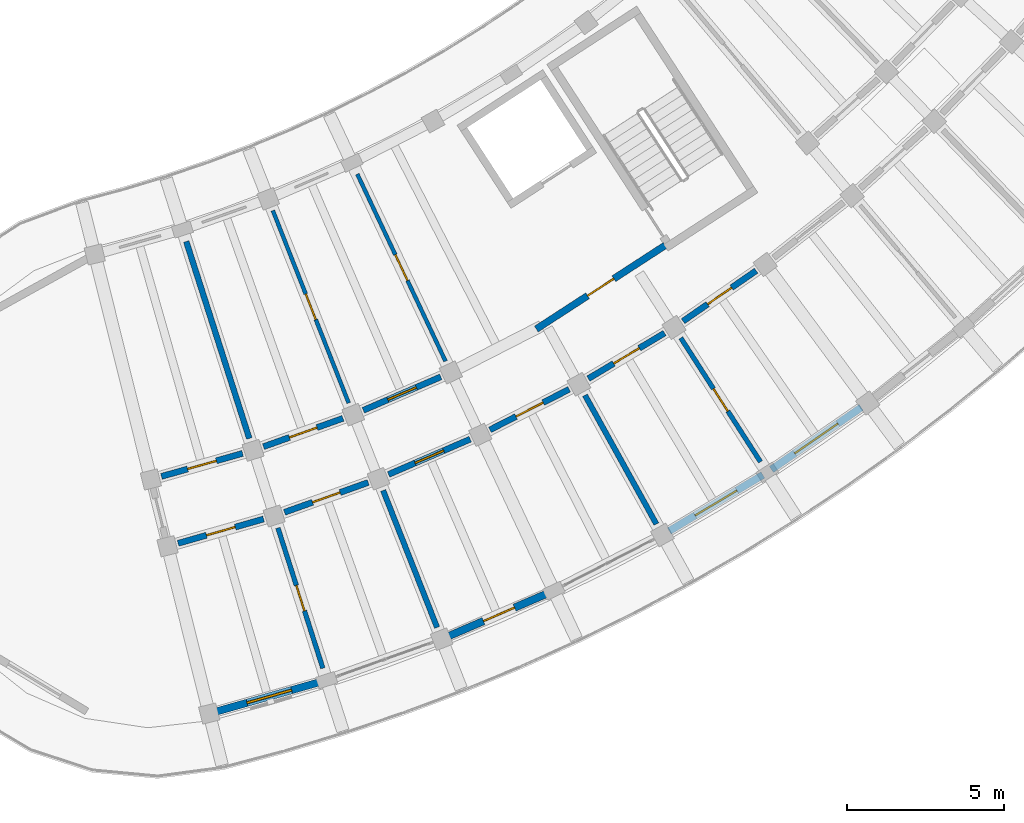
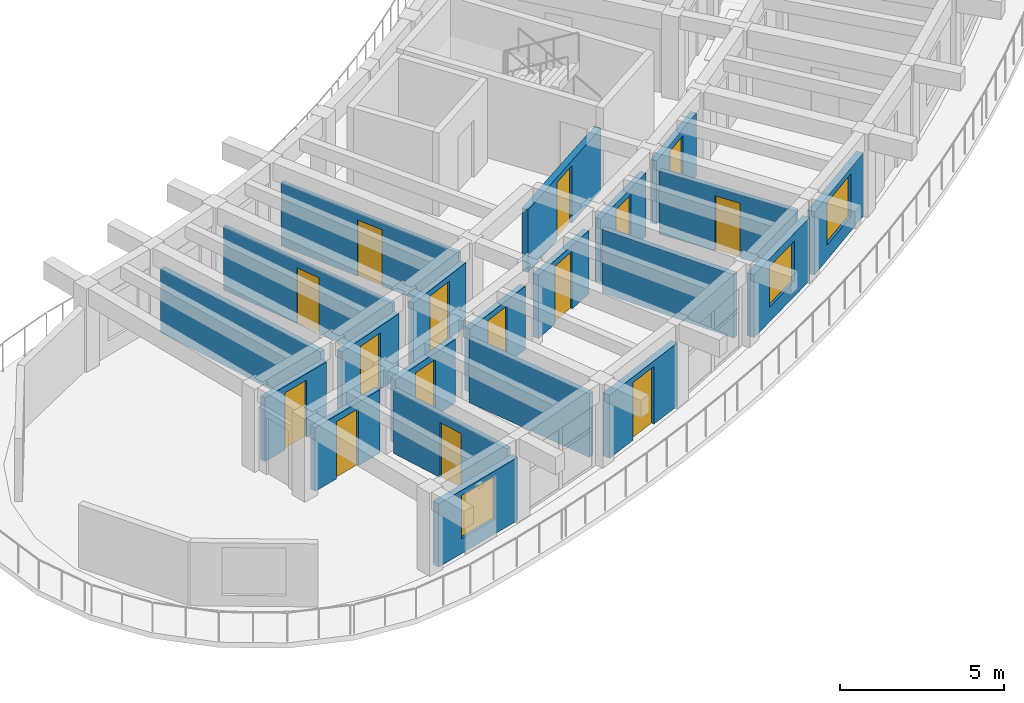
# One storey, part 66 of 96: 21 walls, 15 doors, 3 windows, 18 openings.
"""IFC4 building model written with IfcOpenShell, lengths in metres."""

import ifcopenshell
import ifcopenshell.guid

model = None  # the IFC model being written
_history = None  # IfcOwnerHistory: only IFC2X3 demands one
_inside = {}  # id of a spatial element -> (the spatial element, [elements in it])
_under = {}  # id of a project, library or spatial element -> (it, [spatial elements below it])
_declared = {}  # id of a project -> (the project, [libraries it declares])
_typed = {}  # id of a type object -> (the type object, [elements of that type])
_made_of = {}  # id of a material, layer set ... -> (it, [elements and type objects made of it])


def new_model(schema):
    """Start an empty IFC model of exactly this schema.

    Asked for "IFC4X3", IfcOpenShell would pick the latest addendum, in which some entities
    have other attributes; the version numbers below select the first issue.
    IFC2X3 requires an IfcOwnerHistory on every rooted entity: one is made here for all.
    """
    global model, _history
    if schema == "IFC4X3":
        model = ifcopenshell.file(schema_version=(4, 3, 0, 0))
    else:
        model = ifcopenshell.file(schema=schema)
    _inside.clear()
    _under.clear()
    _declared.clear()
    _typed.clear()
    _made_of.clear()
    _history = None
    if model.schema == "IFC2X3":
        org = make("IfcOrganization", Name="unknown")
        user = make(
            "IfcPersonAndOrganization",
            ThePerson=make("IfcPerson", FamilyName="unknown"),
            TheOrganization=org,
        )
        app = make(
            "IfcApplication",
            ApplicationDeveloper=org,
            Version="unknown",
            ApplicationFullName="unknown",
            ApplicationIdentifier="unknown",
        )
        _history = make(
            "IfcOwnerHistory",
            OwningUser=user,
            OwningApplication=app,
            ChangeAction="ADDED",
            CreationDate=0,
        )
    return model


def make(cls, **values):
    """One entity of the class cls with the attributes given. An attribute that is None is left unset."""
    return model.create_entity(
        cls, **{name: value for name, value in values.items() if value is not None}
    )


def rooted(cls, **values):
    """An entity with a GlobalId (a new one), such as an element, a storey or a relation."""
    return make(cls, GlobalId=ifcopenshell.guid.new(), OwnerHistory=_history, **values)


def si_unit(unit_type, name, prefix=None):
    """IfcSIUnit, for example si_unit("LENGTHUNIT", "METRE", prefix="MILLI")."""
    return make("IfcSIUnit", UnitType=unit_type, Prefix=prefix, Name=name)


def assignment(units):
    """IfcUnitAssignment: the units of a project."""
    return None if units is None else make("IfcUnitAssignment", Units=units)


def point(xyz):
    """IfcCartesianPoint."""
    return None if xyz is None else make("IfcCartesianPoint", Coordinates=xyz)


def direction(xyz):
    """IfcDirection."""
    return None if xyz is None else make("IfcDirection", DirectionRatios=xyz)


def frame(location, z_axis=None, x_axis=None):
    """IfcAxis2Placement3D, a coordinate frame: its origin and axes. An axis left out is left unset."""
    return make(
        "IfcAxis2Placement3D",
        Location=point(location),
        Axis=direction(z_axis),
        RefDirection=direction(x_axis),
    )


def frame_2d(location, x_axis=None):
    """IfcAxis2Placement2D, a coordinate frame in the plane: its origin and x axis."""
    return make(
        "IfcAxis2Placement2D", Location=point(location), RefDirection=direction(x_axis)
    )


def origin():
    """The frame at (0, 0, 0) with its axes left unset."""
    return frame((0.0, 0.0, 0.0))


def place(relative_to, where):
    """IfcLocalPlacement: puts the frame where relative to a parent placement (None: the world)."""
    return make(
        "IfcLocalPlacement", PlacementRelTo=relative_to, RelativePlacement=where
    )


def context(
    kind, dimensions, precision=None, world=None, true_north=None, identifier=None
):
    """IfcGeometricRepresentationContext, for example the 3D "Model" context."""
    return make(
        "IfcGeometricRepresentationContext",
        ContextIdentifier=identifier,
        ContextType=kind,
        CoordinateSpaceDimension=dimensions,
        Precision=precision,
        WorldCoordinateSystem=world,
        TrueNorth=true_north,
    )


def subcontext(parent, identifier, kind, view, scale=None):
    """IfcGeometricRepresentationSubContext, for example "Body" below "Model"."""
    return make(
        "IfcGeometricRepresentationSubContext",
        ContextIdentifier=identifier,
        ContextType=kind,
        ParentContext=parent,
        TargetScale=scale,
        TargetView=view,
    )


def project(units=None, contexts=None):
    """IfcProject with its units and contexts."""
    return rooted(
        "IfcProject",
        Name="project",
        RepresentationContexts=contexts,
        UnitsInContext=assignment(units),
    )


def spatial(cls, under=None, at=None, **own):
    """A site, building, storey or space (cls), placed at a placement, below another one or the project."""
    s = rooted(cls, ObjectPlacement=at, **own)
    if under is not None:
        _under.setdefault(under.id(), (under, []))[1].append(s)
    return s


def profile(cls, at=None, kind="AREA", **sizes):
    """A parametric profile (cls). Its sizes go by their IFC names, for example OverallWidth=200.0."""
    return make(cls, ProfileType=kind, Position=at, **sizes)


def rectangle(**sizes):
    """IfcRectangleProfileDef."""
    return profile("IfcRectangleProfileDef", **sizes)


def extrude(swept, where, along, depth):
    """IfcExtrudedAreaSolid: the profile swept, set in the frame where, extruded along a direction by depth."""
    return make(
        "IfcExtrudedAreaSolid",
        SweptArea=swept,
        Position=where,
        ExtrudedDirection=direction(along),
        Depth=depth,
    )


def shape(context_of_items, identifier, shape_type, items):
    """IfcShapeRepresentation: the items that make up one representation, for example the "Body"."""
    return make(
        "IfcShapeRepresentation",
        ContextOfItems=context_of_items,
        RepresentationIdentifier=identifier,
        RepresentationType=shape_type,
        Items=items,
    )


def material(Name=None, Category=None):
    """IfcMaterial."""
    return make("IfcMaterial", Name=Name, Category=Category)


def layer(
    of_material, thickness, ventilated=None, Name=None, Category=None, Priority=None
):
    """IfcMaterialLayer: one layer of a wall or slab, of a material (None: an air gap)."""
    return make(
        "IfcMaterialLayer",
        Material=of_material,
        LayerThickness=thickness,
        IsVentilated=ventilated,
        Name=Name,
        Category=Category,
        Priority=Priority,
    )


def layer_set(layers, Name=None):
    """IfcMaterialLayerSet."""
    return make("IfcMaterialLayerSet", MaterialLayers=layers, LayerSetName=Name)


def made_of(thing, what):
    """Note that an element or type object is made of a material, layer set ...; save() writes the relation."""
    if what is not None:
        _made_of.setdefault(what.id(), (what, []))[1].append(thing)
    return thing


def type_object(cls, material=None, **own):
    """A type object (cls), such as IfcWallType, which elements share."""
    return made_of(rooted(cls, **own), material)


def element(
    cls,
    number,
    at=None,
    inside=None,
    cuts=None,
    type_object=None,
    material=None,
    context=None,
    identifier="Body",
    shape_type=None,
    held_by="IfcProductDefinitionShape",
    body=None,
    shapes=None,
    **own,
):
    """One element of the class cls, such as IfcWall. Its Tag is "e" and its number.

    at: its placement. inside: the storey or other place that contains it. cuts: it is an
    opening in that element (IfcRelVoidsElement). A single representation is given by context,
    identifier, shape_type and body (its items); several are given by shapes. held_by: the class
    of the entity that holds the representations. save() writes the other relations.
    """
    e = rooted(cls, Tag="e%d" % number, ObjectPlacement=at, **own)
    if body is not None:
        shapes = [shape(context, identifier, shape_type, body)]
    if shapes is not None:
        e.Representation = make(held_by, Representations=shapes)
    if inside is not None:
        _inside.setdefault(inside.id(), (inside, []))[1].append(e)
    if cuts is not None:
        rooted(
            "IfcRelVoidsElement", RelatingBuildingElement=cuts, RelatedOpeningElement=e
        )
    if type_object is not None:
        _typed.setdefault(type_object.id(), (type_object, []))[1].append(e)
    return made_of(e, material)


def fill(opening, filler):
    """IfcRelFillsElement: the door or window that sits in an opening."""
    return rooted(
        "IfcRelFillsElement",
        RelatingOpeningElement=opening,
        RelatedBuildingElement=filler,
    )


def aggregate(whole, parts):
    """IfcRelAggregates: a whole, such as a stair, and the parts it consists of."""
    return rooted("IfcRelAggregates", RelatingObject=whole, RelatedObjects=parts)


def save(model, path):
    """Write the relations noted so far, then the file.

    IfcRelAggregates (storeys below a building ...), IfcRelContainedInSpatialStructure (elements
    in a storey), IfcRelDefinesByType, IfcRelAssociatesMaterial and IfcRelDeclares: one each for
    every whole, place, type object, material and project.
    """
    for whole, parts in _under.values():
        aggregate(whole, parts)
    for where, things in _inside.values():
        rooted(
            "IfcRelContainedInSpatialStructure",
            RelatedElements=things,
            RelatingStructure=where,
        )
    for kind, things in _typed.values():
        rooted("IfcRelDefinesByType", RelatedObjects=things, RelatingType=kind)
    for what, things in _made_of.values():
        rooted("IfcRelAssociatesMaterial", RelatedObjects=things, RelatingMaterial=what)
    for by, libraries in _declared.values():
        rooted("IfcRelDeclares", RelatingContext=by, RelatedDefinitions=libraries)
    model.write(path)


model = new_model("IFC4")

# Units and contexts
model_context = context("Model", 3, precision=1e-05, world=origin(), true_north=direction((0.0, 1.0)))
body_context = subcontext(model_context, "Body", "Model", "MODEL_VIEW")
ifc_project = project(units=[si_unit("LENGTHUNIT", "METRE"), si_unit("AREAUNIT", "SQUARE_METRE"), si_unit("VOLUMEUNIT", "CUBIC_METRE"), si_unit("PLANEANGLEUNIT", "RADIAN"), si_unit("MASSUNIT", "GRAM", prefix="KILO")], contexts=[model_context])

# Site, building, storey
site_placement = place(None, origin())
site = spatial("IfcSite", under=ifc_project, at=site_placement, CompositionType="ELEMENT")
building_placement = place(site_placement, origin())
building = spatial("IfcBuilding", under=site, at=building_placement, Name="Tanwirah Colonnade Gardens", CompositionType="ELEMENT")
storey_placement = place(building_placement, frame((0.0, 0.0, 12.199951171875)))
storey = spatial("IfcBuildingStorey", under=building, at=storey_placement, Name="L03", CompositionType="ELEMENT", Elevation=12.199951171875)

# Wall, opening, window
ifc_material_1 = material(Name="Limestone architectural precast concrete C40/50", Category="masonry")
ifc_layer_1 = layer(ifc_material_1, 0.239990234375)
ifc_layer_set_1 = layer_set([ifc_layer_1], Name="Limestone architectural precast concrete C40/50")
wall_type_1 = type_object("IfcWallType", Name="EW-PC240", PredefinedType="SOLIDWALL", material=ifc_layer_set_1)
wall_1_placement = place(storey_placement, frame((135.64697265625, 6.787353515625, 0.0), z_axis=(0.0, 0.0, 1.0), x_axis=(0.961871954212, 0.2735001713, 0.0)))
wall_1 = element("IfcWall", 1, at=wall_1_placement, inside=storey, type_object=wall_type_1, Name="Block D L03 OUT Precast Facade Wall 0", PredefinedType="SOLIDWALL", context=body_context, shape_type="SweptSolid", body=[
    extrude(rectangle(XDim=3.48681640625, YDim=0.239990234375, at=frame_2d((1.743408203125, 0.0))), origin(), (0.0, 0.0, 1.0), 2.35498046875),
])
opening_1_placement = place(wall_1_placement, frame((1.00341796875, 0.0, 0.550048828125)))
opening_1 = element("IfcOpeningElement", 2, at=opening_1_placement, cuts=wall_1, Name="Opening WIN-T19", PredefinedType="OPENING", context=body_context, shape_type="SweptSolid", body=[
    extrude(rectangle(XDim=1.47998046875, YDim=1.6201171875, at=frame_2d((0.739990234375, 0.81005859375))), frame((0.0, 0.1298828125, 0.0), z_axis=(0.0, -1.0, 0.0), x_axis=(1.0, 0.0, 0.0)), (0.0, 0.0, 1.0), 0.260009765625),
])
ifc_material_2 = material(Name="Thermally broken bronze aluminium and solar low-E double glazing", Category="aluminium")
window_type_1 = type_object("IfcWindowType", Name="WIN-T19", PartitioningType="DOUBLE_PANEL_VERTICAL", PredefinedType="WINDOW", material=ifc_material_2)
window_1_placement = place(opening_1_placement, origin())
window_1 = element("IfcWindow", 3, at=window_1_placement, inside=storey, type_object=window_type_1, Name="Facade window D-L03-OUT-00", OverallHeight=1.6201171875, OverallWidth=1.47998046875, PartitioningType="SINGLE_PANEL", PredefinedType="WINDOW", context=body_context, shape_type="SweptSolid", body=[
    extrude(rectangle(XDim=1.47998046875, YDim=1.6201171875, at=frame_2d((0.739990234375, 0.81005859375))), frame((0.0, 0.030029296875, 0.0), z_axis=(0.0, -1.0, 0.0), x_axis=(1.0, 0.0, 0.0)), (0.0, 0.0, 1.0), 0.06005859375),
])
fill(opening_1, window_1)

# Wall, opening, door
wall_2_placement = place(storey_placement, frame((143.0546875, 9.19287109375, 0.0), z_axis=(0.0, 0.0, 1.0), x_axis=(0.917938367037, 0.396723019652, 0.0)))
wall_2 = element("IfcWall", 4, at=wall_2_placement, inside=storey, type_object=wall_type_1, Name="Block D L03 OUT Precast Facade Wall 2", PredefinedType="SOLIDWALL", context=body_context, shape_type="SweptSolid", body=[
    extrude(rectangle(XDim=3.48681640625, YDim=0.239990234375, at=frame_2d((1.743408203125, 0.0))), origin(), (0.0, 0.0, 1.0), 2.35498046875),
])
opening_2_placement = place(wall_2_placement, frame((1.203369140625, 0.0, 0.0)))
opening_2 = element("IfcOpeningElement", 5, at=opening_2_placement, cuts=wall_2, Name="Opening L03-ED187", PredefinedType="OPENING", context=body_context, shape_type="SweptSolid", body=[
    extrude(rectangle(XDim=1.080078125, YDim=2.14990234375, at=frame_2d((0.5400390625, 1.074951171875))), frame((0.0, 0.1298828125, 0.0), z_axis=(0.0, -1.0, 0.0), x_axis=(1.0, 0.0, 0.0)), (0.0, 0.0, 1.0), 0.260009765625),
])
ifc_material_3 = material(Name="Bronze aluminium glazed balcony door", Category="aluminium")
door_type_1 = type_object("IfcDoorType", Name="ED-BAL108", OperationType="NOTDEFINED", PredefinedType="DOOR", material=ifc_material_3)
door_1_placement = place(opening_2_placement, origin())
door_1 = element("IfcDoor", 6, at=door_1_placement, inside=storey, type_object=door_type_1, Name="Balcony glazed door L03-ED187", OperationType="SINGLE_SWING_RIGHT", OverallHeight=2.14990234375, OverallWidth=1.080078125, PredefinedType="DOOR", context=body_context, shape_type="SweptSolid", body=[
    extrude(rectangle(XDim=1.080078125, YDim=2.14990234375, at=frame_2d((0.5400390625, 1.074951171875))), frame((0.0, 0.02490234375, 0.0), z_axis=(0.0, -1.0, 0.0), x_axis=(1.0, 0.0, 0.0)), (0.0, 0.0, 1.0), 0.050048828125),
])
fill(opening_2, door_1)

# Wall, opening, window
wall_3_placement = place(storey_placement, frame((150.0849609375, 12.544677734375, 0.0), z_axis=(0.0, 0.0, 1.0), x_axis=(0.858288874148, 0.513166842766, 0.0)))
wall_3 = element("IfcWall", 7, at=wall_3_placement, inside=storey, type_object=wall_type_1, Name="Block D L03 OUT Precast Facade Wall 4", PredefinedType="SOLIDWALL", context=body_context, shape_type="SweptSolid", body=[
    extrude(rectangle(XDim=3.48681640625, YDim=0.239990234375, at=frame_2d((1.743408203125, 0.0))), origin(), (0.0, 0.0, 1.0), 2.35498046875),
])
opening_3_placement = place(wall_3_placement, frame((0.96337890625, 0.0, 0.550048828125)))
opening_3 = element("IfcOpeningElement", 8, at=opening_3_placement, cuts=wall_3, Name="Opening WIN-U11", PredefinedType="OPENING", context=body_context, shape_type="SweptSolid", body=[
    extrude(rectangle(XDim=1.56005859375, YDim=1.510009765625, at=frame_2d((0.780029296875, 0.7548828125))), frame((0.0, 0.1298828125, 0.0), z_axis=(0.0, -1.0, 0.0), x_axis=(1.0, 0.0, 0.0)), (0.0, 0.0, 1.0), 0.260009765625),
])
window_type_2 = type_object("IfcWindowType", Name="WIN-U11", PartitioningType="DOUBLE_PANEL_VERTICAL", PredefinedType="WINDOW", material=ifc_material_2)
window_2_placement = place(opening_3_placement, origin())
window_2 = element("IfcWindow", 9, at=window_2_placement, inside=storey, type_object=window_type_2, Name="Facade window D-L03-OUT-04", OverallHeight=1.510009765625, OverallWidth=1.56005859375, PartitioningType="SINGLE_PANEL", PredefinedType="WINDOW", context=body_context, shape_type="SweptSolid", body=[
    extrude(rectangle(XDim=1.56005859375, YDim=1.510009765625, at=frame_2d((0.780029296875, 0.7548828125))), frame((0.0, 0.030029296875, 0.0), z_axis=(0.0, -1.0, 0.0), x_axis=(1.0, 0.0, 0.0)), (0.0, 0.0, 1.0), 0.06005859375),
])
fill(opening_3, window_2)

wall_4_placement = place(storey_placement, frame((153.3466796875, 14.507080078125, 0.0), z_axis=(0.0, 0.0, 1.0), x_axis=(0.822902356734, 0.568182815017, 0.0)))
wall_4 = element("IfcWall", 10, at=wall_4_placement, inside=storey, type_object=wall_type_1, Name="Block D L03 OUT Precast Facade Wall 5", PredefinedType="SOLIDWALL", context=body_context, shape_type="SweptSolid", body=[
    extrude(rectangle(XDim=3.48681640625, YDim=0.239990234375, at=frame_2d((1.743408203125, 0.0))), origin(), (0.0, 0.0, 1.0), 2.35498046875),
])
opening_4_placement = place(wall_4_placement, frame((0.9033203125, 0.0, 0.550048828125)))
opening_4 = element("IfcOpeningElement", 11, at=opening_4_placement, cuts=wall_4, Name="Opening WIN-U14", PredefinedType="OPENING", context=body_context, shape_type="SweptSolid", body=[
    extrude(rectangle(XDim=1.679931640625, YDim=1.5849609375, at=frame_2d((0.83984375, 0.79248046875))), frame((0.0, 0.1298828125, 0.0), z_axis=(0.0, -1.0, 0.0), x_axis=(1.0, 0.0, 0.0)), (0.0, 0.0, 1.0), 0.260009765625),
])
window_type_3 = type_object("IfcWindowType", Name="WIN-U14", PartitioningType="DOUBLE_PANEL_VERTICAL", PredefinedType="WINDOW", material=ifc_material_2)
window_3_placement = place(opening_4_placement, origin())
window_3 = element("IfcWindow", 12, at=window_3_placement, inside=storey, type_object=window_type_3, Name="Facade window D-L03-OUT-05", OverallHeight=1.5849609375, OverallWidth=1.679931640625, PartitioningType="SINGLE_PANEL", PredefinedType="WINDOW", context=body_context, shape_type="SweptSolid", body=[
    extrude(rectangle(XDim=1.679931640625, YDim=1.5849609375, at=frame_2d((0.83984375, 0.79248046875))), frame((0.0, 0.030029296875, 0.0), z_axis=(0.0, -1.0, 0.0), x_axis=(1.0, 0.0, 0.0)), (0.0, 0.0, 1.0), 0.06005859375),
])
fill(opening_4, window_3)

# Wall, opening, door
ifc_material_4 = material(Name="Precast concrete C40/50", Category="concrete")
ifc_layer_2 = layer(ifc_material_4, 0.195068359375)
ifc_layer_set_2 = layer_set([ifc_layer_2], Name="Precast concrete C40/50")
wall_type_2 = type_object("IfcWallType", Name="IW-CORR195", PredefinedType="PARTITIONING", material=ifc_layer_set_2)
wall_5_placement = place(storey_placement, frame((134.41259765625, 12.1513671875, 0.0), z_axis=(0.0, 0.0, 1.0), x_axis=(0.961873892319, 0.273493355085, 0.0)))
wall_5 = element("IfcWall", 13, at=wall_5_placement, inside=storey, type_object=wall_type_2, Name="Block D L03 OUT Corridor Wall 0", PredefinedType="PARTITIONING", context=body_context, shape_type="SweptSolid", body=[
    extrude(rectangle(XDim=2.8369140625, YDim=0.195068359375, at=frame_2d((1.41845703125, 0.0))), origin(), (0.0, 0.0, 1.0), 2.3701171875),
])
opening_5_placement = place(wall_5_placement, frame((0.943603515625, 0.0, 0.0)))
opening_5 = element("IfcOpeningElement", 14, at=opening_5_placement, cuts=wall_5, Name="Opening L03-AD1762", PredefinedType="OPENING", context=body_context, shape_type="SweptSolid", body=[
    extrude(rectangle(XDim=0.949951171875, YDim=2.1298828125, at=frame_2d((0.47509765625, 1.06494140625))), frame((0.0, 0.107421875, 0.0), z_axis=(0.0, -1.0, 0.0), x_axis=(1.0, 0.0, 0.0)), (0.0, 0.0, 1.0), 0.215087890625),
])
ifc_material_5 = material(Name="Solid oak fire-resisting apartment entrance door")
door_type_2 = type_object("IfcDoorType", Name="ID-FLT095", OperationType="NOTDEFINED", PredefinedType="DOOR", material=ifc_material_5)
door_2_placement = place(opening_5_placement, origin())
door_2 = element("IfcDoor", 15, at=door_2_placement, inside=storey, type_object=door_type_2, Name="Apartment corridor door L03-AD1762", OperationType="SINGLE_SWING_RIGHT", OverallHeight=2.1298828125, OverallWidth=0.949951171875, PredefinedType="DOOR", context=body_context, shape_type="SweptSolid", body=[
    extrude(rectangle(XDim=0.949951171875, YDim=2.1298828125, at=frame_2d((0.47509765625, 1.06494140625))), frame((0.0, 0.02490234375, 0.0), z_axis=(0.0, -1.0, 0.0), x_axis=(1.0, 0.0, 0.0)), (0.0, 0.0, 1.0), 0.050048828125),
])
fill(opening_5, door_2)

wall_6_placement = place(storey_placement, frame((133.88037109375, 14.285888671875, 0.0), z_axis=(0.0, 0.0, 1.0), x_axis=(0.961861926514, 0.273535435224, 0.0)))
wall_6 = element("IfcWall", 16, at=wall_6_placement, inside=storey, type_object=wall_type_2, Name="Block D L03 IN Corridor Wall 0", PredefinedType="PARTITIONING", context=body_context, shape_type="SweptSolid", body=[
    extrude(rectangle(XDim=2.69287109375, YDim=0.195068359375, at=frame_2d((1.346435546875, 0.0))), origin(), (0.0, 0.0, 1.0), 2.3701171875),
])
opening_6_placement = place(wall_6_placement, frame((0.87158203125, 0.0, 0.0)))
opening_6 = element("IfcOpeningElement", 17, at=opening_6_placement, cuts=wall_6, Name="Opening L03-AD1763", PredefinedType="OPENING", context=body_context, shape_type="SweptSolid", body=[
    extrude(rectangle(XDim=0.949951171875, YDim=2.1298828125, at=frame_2d((0.47509765625, 1.06494140625))), frame((0.0, 0.107421875, 0.0), z_axis=(0.0, -1.0, 0.0), x_axis=(1.0, 0.0, 0.0)), (0.0, 0.0, 1.0), 0.215087890625),
])
door_3_placement = place(opening_6_placement, origin())
door_3 = element("IfcDoor", 18, at=door_3_placement, inside=storey, type_object=door_type_2, Name="Apartment corridor door L03-AD1763", OperationType="SINGLE_SWING_LEFT", OverallHeight=2.1298828125, OverallWidth=0.949951171875, PredefinedType="DOOR", context=body_context, shape_type="SweptSolid", body=[
    extrude(rectangle(XDim=0.949951171875, YDim=2.1298828125, at=frame_2d((0.47509765625, 1.06494140625))), frame((0.0, 0.02490234375, 0.0), z_axis=(0.0, -1.0, 0.0), x_axis=(1.0, 0.0, 0.0)), (0.0, 0.0, 1.0), 0.050048828125),
])
fill(opening_6, door_3)

wall_7_placement = place(storey_placement, frame((137.8076171875, 13.140625, 0.0), z_axis=(0.0, 0.0, 1.0), x_axis=(0.941930628611, 0.335807520589, 0.0)))
wall_7 = element("IfcWall", 19, at=wall_7_placement, inside=storey, type_object=wall_type_2, Name="Block D L03 OUT Corridor Wall 1", PredefinedType="PARTITIONING", context=body_context, shape_type="SweptSolid", body=[
    extrude(rectangle(XDim=2.8369140625, YDim=0.195068359375, at=frame_2d((1.41845703125, 0.0))), origin(), (0.0, 0.0, 1.0), 2.3701171875),
])
opening_7_placement = place(wall_7_placement, frame((0.95361328125, 0.0, 0.0)))
opening_7 = element("IfcOpeningElement", 20, at=opening_7_placement, cuts=wall_7, Name="Opening L03-AD1765", PredefinedType="OPENING", context=body_context, shape_type="SweptSolid", body=[
    extrude(rectangle(XDim=0.929931640625, YDim=2.1201171875, at=frame_2d((0.46484375, 1.06005859375))), frame((0.0, 0.107421875, 0.0), z_axis=(0.0, -1.0, 0.0), x_axis=(1.0, 0.0, 0.0)), (0.0, 0.0, 1.0), 0.215087890625),
])
door_type_3 = type_object("IfcDoorType", Name="ID-FLT093", OperationType="NOTDEFINED", PredefinedType="DOOR", material=ifc_material_5)
door_4_placement = place(opening_7_placement, origin())
door_4 = element("IfcDoor", 21, at=door_4_placement, inside=storey, type_object=door_type_3, Name="Apartment corridor door L03-AD1765", OperationType="SINGLE_SWING_LEFT", OverallHeight=2.1201171875, OverallWidth=0.929931640625, PredefinedType="DOOR", context=body_context, shape_type="SweptSolid", body=[
    extrude(rectangle(XDim=0.929931640625, YDim=2.1201171875, at=frame_2d((0.46484375, 1.06005859375))), frame((0.0, 0.02490234375, 0.0), z_axis=(0.0, -1.0, 0.0), x_axis=(1.0, 0.0, 0.0)), (0.0, 0.0, 1.0), 0.050048828125),
])
fill(opening_7, door_4)

wall_8_placement = place(storey_placement, frame((137.136962890625, 15.23583984375, 0.0), z_axis=(0.0, 0.0, 1.0), x_axis=(0.941895652647, 0.335905611036, 0.0)))
wall_8 = element("IfcWall", 22, at=wall_8_placement, inside=storey, type_object=wall_type_2, Name="Block D L03 IN Corridor Wall 1", PredefinedType="PARTITIONING", context=body_context, shape_type="SweptSolid", body=[
    extrude(rectangle(XDim=2.69287109375, YDim=0.195068359375, at=frame_2d((1.346435546875, 0.0))), origin(), (0.0, 0.0, 1.0), 2.3701171875),
])
opening_8_placement = place(wall_8_placement, frame((0.881591796875, 0.0, 0.0)))
opening_8 = element("IfcOpeningElement", 23, at=opening_8_placement, cuts=wall_8, Name="Opening L03-AD1766", PredefinedType="OPENING", context=body_context, shape_type="SweptSolid", body=[
    extrude(rectangle(XDim=0.929931640625, YDim=2.1201171875, at=frame_2d((0.46484375, 1.06005859375))), frame((0.0, 0.107421875, 0.0), z_axis=(0.0, -1.0, 0.0), x_axis=(1.0, 0.0, 0.0)), (0.0, 0.0, 1.0), 0.215087890625),
])
door_5_placement = place(opening_8_placement, origin())
door_5 = element("IfcDoor", 24, at=door_5_placement, inside=storey, type_object=door_type_3, Name="Apartment corridor door L03-AD1766", OperationType="SINGLE_SWING_RIGHT", OverallHeight=2.1201171875, OverallWidth=0.929931640625, PredefinedType="DOOR", context=body_context, shape_type="SweptSolid", body=[
    extrude(rectangle(XDim=0.929931640625, YDim=2.1201171875, at=frame_2d((0.46484375, 1.06005859375))), frame((0.0, 0.02490234375, 0.0), z_axis=(0.0, -1.0, 0.0), x_axis=(1.0, 0.0, 0.0)), (0.0, 0.0, 1.0), 0.050048828125),
])
fill(opening_8, door_5)

wall_9_placement = place(storey_placement, frame((141.130615234375, 14.349853515625, 0.0), z_axis=(0.0, 0.0, 1.0), x_axis=(0.917943439406, 0.396711282991, 0.0)))
wall_9 = element("IfcWall", 25, at=wall_9_placement, inside=storey, type_object=wall_type_2, Name="Block D L03 OUT Corridor Wall 2", PredefinedType="PARTITIONING", context=body_context, shape_type="SweptSolid", body=[
    extrude(rectangle(XDim=2.837158203125, YDim=0.195068359375, at=frame_2d((1.41845703125, 0.0))), origin(), (0.0, 0.0, 1.0), 2.3701171875),
])
opening_9_placement = place(wall_9_placement, frame((0.923583984375, 0.0, 0.0)))
opening_9 = element("IfcOpeningElement", 26, at=opening_9_placement, cuts=wall_9, Name="Opening L03-AD1768", PredefinedType="OPENING", context=body_context, shape_type="SweptSolid", body=[
    extrude(rectangle(XDim=0.989990234375, YDim=2.159912109375, at=frame_2d((0.4951171875, 1.080078125))), frame((0.0, 0.107421875, 0.0), z_axis=(0.0, -1.0, 0.0), x_axis=(1.0, 0.0, 0.0)), (0.0, 0.0, 1.0), 0.215087890625),
])
door_type_4 = type_object("IfcDoorType", Name="ID-FLT099", OperationType="NOTDEFINED", PredefinedType="DOOR", material=ifc_material_5)
door_6_placement = place(opening_9_placement, origin())
door_6 = element("IfcDoor", 27, at=door_6_placement, inside=storey, type_object=door_type_4, Name="Apartment corridor door L03-AD1768", OperationType="SINGLE_SWING_RIGHT", OverallHeight=2.159912109375, OverallWidth=0.989990234375, PredefinedType="DOOR", context=body_context, shape_type="SweptSolid", body=[
    extrude(rectangle(XDim=0.989990234375, YDim=2.159912109375, at=frame_2d((0.4951171875, 1.080078125))), frame((0.0, 0.02490234375, 0.0), z_axis=(0.0, -1.0, 0.0), x_axis=(1.0, 0.0, 0.0)), (0.0, 0.0, 1.0), 0.050048828125),
])
fill(opening_9, door_6)

wall_10_placement = place(storey_placement, frame((140.324462890625, 16.396728515625, 0.0), z_axis=(0.0, 0.0, 1.0), x_axis=(0.91793557165, 0.39672948756, 0.0)))
wall_10 = element("IfcWall", 28, at=wall_10_placement, inside=storey, type_object=wall_type_2, Name="Block D L03 IN Corridor Wall 2", PredefinedType="PARTITIONING", context=body_context, shape_type="SweptSolid", body=[
    extrude(rectangle(XDim=2.69287109375, YDim=0.195068359375, at=frame_2d((1.346435546875, 0.0))), origin(), (0.0, 0.0, 1.0), 2.3701171875),
])
opening_10_placement = place(wall_10_placement, frame((0.8515625, 0.0, 0.0)))
opening_10 = element("IfcOpeningElement", 29, at=opening_10_placement, cuts=wall_10, Name="Opening L03-AD1769", PredefinedType="OPENING", context=body_context, shape_type="SweptSolid", body=[
    extrude(rectangle(XDim=0.989990234375, YDim=2.159912109375, at=frame_2d((0.4951171875, 1.080078125))), frame((0.0, 0.107421875, 0.0), z_axis=(0.0, -1.0, 0.0), x_axis=(1.0, 0.0, 0.0)), (0.0, 0.0, 1.0), 0.215087890625),
])
door_7_placement = place(opening_10_placement, origin())
door_7 = element("IfcDoor", 30, at=door_7_placement, inside=storey, type_object=door_type_4, Name="Apartment corridor door L03-AD1769", OperationType="SINGLE_SWING_LEFT", OverallHeight=2.159912109375, OverallWidth=0.989990234375, PredefinedType="DOOR", context=body_context, shape_type="SweptSolid", body=[
    extrude(rectangle(XDim=0.989990234375, YDim=2.159912109375, at=frame_2d((0.4951171875, 1.080078125))), frame((0.0, 0.02490234375, 0.0), z_axis=(0.0, -1.0, 0.0), x_axis=(1.0, 0.0, 0.0)), (0.0, 0.0, 1.0), 0.050048828125),
])
fill(opening_10, door_7)

wall_11_placement = place(storey_placement, frame((144.367431640625, 15.773681640625, 0.0), z_axis=(0.0, 0.0, 1.0), x_axis=(0.890030590607, 0.45590080915, 0.0)))
wall_11 = element("IfcWall", 31, at=wall_11_placement, inside=storey, type_object=wall_type_2, Name="Block D L03 OUT Corridor Wall 3", PredefinedType="PARTITIONING", context=body_context, shape_type="SweptSolid", body=[
    extrude(rectangle(XDim=2.837158203125, YDim=0.195068359375, at=frame_2d((1.41845703125, 0.0))), origin(), (0.0, 0.0, 1.0), 2.3701171875),
])
opening_11_placement = place(wall_11_placement, frame((0.93359375, 0.0, 0.0)))
opening_11 = element("IfcOpeningElement", 32, at=opening_11_placement, cuts=wall_11, Name="Opening L03-AD1771", PredefinedType="OPENING", context=body_context, shape_type="SweptSolid", body=[
    extrude(rectangle(XDim=0.969970703125, YDim=2.14990234375, at=frame_2d((0.48486328125, 1.074951171875))), frame((0.0, 0.107421875, 0.0), z_axis=(0.0, -1.0, 0.0), x_axis=(1.0, 0.0, 0.0)), (0.0, 0.0, 1.0), 0.215087890625),
])
door_type_5 = type_object("IfcDoorType", Name="ID-FLT097", OperationType="NOTDEFINED", PredefinedType="DOOR", material=ifc_material_5)
door_8_placement = place(opening_11_placement, origin())
door_8 = element("IfcDoor", 33, at=door_8_placement, inside=storey, type_object=door_type_5, Name="Apartment corridor door L03-AD1771", OperationType="SINGLE_SWING_LEFT", OverallHeight=2.14990234375, OverallWidth=0.969970703125, PredefinedType="DOOR", context=body_context, shape_type="SweptSolid", body=[
    extrude(rectangle(XDim=0.969970703125, YDim=2.14990234375, at=frame_2d((0.48486328125, 1.074951171875))), frame((0.0, 0.02490234375, 0.0), z_axis=(0.0, -1.0, 0.0), x_axis=(1.0, 0.0, 0.0)), (0.0, 0.0, 1.0), 0.050048828125),
])
fill(opening_11, door_8)

wall_12_placement = place(storey_placement, frame((147.50439453125, 17.406494140625, 0.0), z_axis=(0.0, 0.0, 1.0), x_axis=(0.858281647443, 0.51317892948, 0.0)))
wall_12 = element("IfcWall", 34, at=wall_12_placement, inside=storey, type_object=wall_type_2, Name="Block D L03 OUT Corridor Wall 4", PredefinedType="PARTITIONING", context=body_context, shape_type="SweptSolid", body=[
    extrude(rectangle(XDim=2.8369140625, YDim=0.195068359375, at=frame_2d((1.41845703125, 0.0))), origin(), (0.0, 0.0, 1.0), 2.3701171875),
])
opening_12_placement = place(wall_12_placement, frame((0.943603515625, 0.0, 0.0)))
opening_12 = element("IfcOpeningElement", 35, at=opening_12_placement, cuts=wall_12, Name="Opening L03-AD1772", PredefinedType="OPENING", context=body_context, shape_type="SweptSolid", body=[
    extrude(rectangle(XDim=0.949951171875, YDim=2.1298828125, at=frame_2d((0.47509765625, 1.06494140625))), frame((0.0, 0.107421875, 0.0), z_axis=(0.0, -1.0, 0.0), x_axis=(1.0, 0.0, 0.0)), (0.0, 0.0, 1.0), 0.215087890625),
])
door_9_placement = place(opening_12_placement, origin())
door_9 = element("IfcDoor", 36, at=door_9_placement, inside=storey, type_object=door_type_2, Name="Apartment corridor door L03-AD1772", OperationType="SINGLE_SWING_RIGHT", OverallHeight=2.1298828125, OverallWidth=0.949951171875, PredefinedType="DOOR", context=body_context, shape_type="SweptSolid", body=[
    extrude(rectangle(XDim=0.949951171875, YDim=2.1298828125, at=frame_2d((0.47509765625, 1.06494140625))), frame((0.0, 0.02490234375, 0.0), z_axis=(0.0, -1.0, 0.0), x_axis=(1.0, 0.0, 0.0)), (0.0, 0.0, 1.0), 0.050048828125),
])
fill(opening_12, door_9)

wall_13_placement = place(storey_placement, frame((150.527587890625, 19.24072265625, 0.0), z_axis=(0.0, 0.0, 1.0), x_axis=(0.822870075235, 0.568229565653, 0.0)))
wall_13 = element("IfcWall", 37, at=wall_13_placement, inside=storey, type_object=wall_type_2, Name="Block D L03 OUT Corridor Wall 5", PredefinedType="PARTITIONING", context=body_context, shape_type="SweptSolid", body=[
    extrude(rectangle(XDim=2.8369140625, YDim=0.195068359375, at=frame_2d((1.41845703125, 0.0))), origin(), (0.0, 0.0, 1.0), 2.3701171875),
])
opening_13_placement = place(wall_13_placement, frame((0.95361328125, 0.0, 0.0)))
opening_13 = element("IfcOpeningElement", 38, at=opening_13_placement, cuts=wall_13, Name="Opening L03-AD1774", PredefinedType="OPENING", context=body_context, shape_type="SweptSolid", body=[
    extrude(rectangle(XDim=0.929931640625, YDim=2.1201171875, at=frame_2d((0.46484375, 1.06005859375))), frame((0.0, 0.107421875, 0.0), z_axis=(0.0, -1.0, 0.0), x_axis=(1.0, 0.0, 0.0)), (0.0, 0.0, 1.0), 0.215087890625),
])
door_10_placement = place(opening_13_placement, origin())
door_10 = element("IfcDoor", 39, at=door_10_placement, inside=storey, type_object=door_type_3, Name="Apartment corridor door L03-AD1774", OperationType="SINGLE_SWING_LEFT", OverallHeight=2.1201171875, OverallWidth=0.929931640625, PredefinedType="DOOR", context=body_context, shape_type="SweptSolid", body=[
    extrude(rectangle(XDim=0.929931640625, YDim=2.1201171875, at=frame_2d((0.46484375, 1.06005859375))), frame((0.0, 0.02490234375, 0.0), z_axis=(0.0, -1.0, 0.0), x_axis=(1.0, 0.0, 0.0)), (0.0, 0.0, 1.0), 0.050048828125),
])
fill(opening_13, door_10)

# Walls
ifc_layer_3 = layer(ifc_material_4, 0.175048828125)
ifc_layer_set_3 = layer_set([ifc_layer_3], Name="Precast concrete C40/50")
wall_type_3 = type_object("IfcWallType", Name="IW-DEM175", PredefinedType="PARTITIONING", material=ifc_layer_set_3)
for number, where, z_axis, x_axis, name in (
    (40, (140.9560546875, 13.8388671875, 0.0), (0.0, 0.0, 1.0), (0.366468650514, -0.930430399434, 0.0), "Block D L03 Radial Partition 1"),
    (41, (147.39794921875, 16.876953125, 0.0), (0.0, 0.0, 1.0), (0.484813534336, -0.874617537513, 0.0), "Block D L03 Radial Partition 3"),
):
    element("IfcWall", number, at=place(storey_placement, frame(where, z_axis=z_axis, x_axis=x_axis)), inside=storey, type_object=wall_type_3, Name=name, PredefinedType="PARTITIONING", context=body_context, shape_type="SweptSolid", body=[
        extrude(rectangle(XDim=4.699951171875, YDim=0.175048828125, at=frame_2d((2.35009765625, 0.0))), origin(), (0.0, 0.0, 1.0), 2.3701171875),
    ])
ifc_layer_4 = layer(ifc_material_4, 0.18505859375)
ifc_layer_set_4 = layer_set([ifc_layer_4], Name="Precast concrete C40/50")
wall_type_4 = type_object("IfcWallType", Name="IW-DEM185", PredefinedType="PARTITIONING", material=ifc_layer_set_4)
wall_14_placement = place(storey_placement, frame((134.673095703125, 21.78515625, 0.0), z_axis=(0.0, 0.0, 1.0), x_axis=(0.304875046605, -0.95239235925, 0.0)))
element("IfcWall", 42, at=wall_14_placement, inside=storey, type_object=wall_type_4, Name="Block D L03 Inner Radial Partition 0", PredefinedType="PARTITIONING", context=body_context, shape_type="SweptSolid", body=[
    extrude(rectangle(XDim=6.60009765625, YDim=0.18505859375, at=frame_2d((3.300048828125, 0.0))), origin(), (0.0, 0.0, 1.0), 2.3701171875),
])

# Wall, opening, door
ifc_material_6 = material(Name="Autoclaved aerated masonry blockwork", Category="masonry")
ifc_layer_5 = layer(ifc_material_6, 0.219970703125)
ifc_layer_set_5 = layer_set([ifc_layer_5], Name="Autoclaved aerated masonry blockwork")
wall_type_5 = type_object("IfcWallType", Name="IW-FFL220", PredefinedType="PARTITIONING", material=ifc_layer_set_5)
wall_15_placement = place(storey_placement, frame((149.95458984375, 21.658203125, 0.0), z_axis=(0.0, 0.0, 1.0), x_axis=(-0.838681446513, -0.544622283124, 0.0)))
wall_15 = element("IfcWall", 43, at=wall_15_placement, inside=storey, type_object=wall_type_5, Name="CORE-D1 L03 Enclosed Lobby Fire Wall", PredefinedType="PARTITIONING", context=body_context, shape_type="SweptSolid", body=[
    extrude(rectangle(XDim=4.900146484375, YDim=0.219970703125, at=frame_2d((2.4501953125, 0.0))), origin(), (0.0, 0.0, 1.0), 2.340087890625),
])
opening_14_placement = place(wall_15_placement, frame((1.949951171875, 0.0, 0.0)))
opening_14 = element("IfcOpeningElement", 44, at=opening_14_placement, cuts=wall_15, Name="Opening L03-LD183", PredefinedType="OPENING", context=body_context, shape_type="SweptSolid", body=[
    extrude(rectangle(XDim=1.0, YDim=2.14990234375, at=frame_2d((0.5, 1.074951171875))), frame((0.0, 0.119873046875, 0.0), z_axis=(0.0, -1.0, 0.0), x_axis=(1.0, 0.0, 0.0)), (0.0, 0.0, 1.0), 0.239990234375),
])
ifc_material_7 = material(Name="Acoustic fire-resisting lobby door")
door_type_6 = type_object("IfcDoorType", Name="ID-FFL100", OperationType="NOTDEFINED", PredefinedType="DOOR", material=ifc_material_7)
door_11_placement = place(opening_14_placement, origin())
door_11 = element("IfcDoor", 45, at=door_11_placement, inside=storey, type_object=door_type_6, Name="CORE-D1 L03 Lobby Fire Door L03-LD183", OperationType="SINGLE_SWING_RIGHT", OverallHeight=2.14990234375, OverallWidth=1.0, PredefinedType="DOOR", context=body_context, shape_type="SweptSolid", body=[
    extrude(rectangle(XDim=1.0, YDim=2.14990234375, at=frame_2d((0.5, 1.074951171875))), frame((0.0, 0.02490234375, 0.0), z_axis=(0.0, -1.0, 0.0), x_axis=(1.0, 0.0, 0.0)), (0.0, 0.0, 1.0), 0.050048828125),
])
fill(opening_14, door_11)

ifc_material_8 = material(Name="Moisture-resistant gypsum stud partition")
ifc_layer_6 = layer(ifc_material_8, 0.125)
ifc_layer_set_6 = layer_set([ifc_layer_6], Name="Moisture-resistant gypsum stud partition")
wall_type_6 = type_object("IfcWallType", Name="IW-INT125", PredefinedType="PARTITIONING", material=ifc_layer_set_6)
wall_16_placement = place(storey_placement, frame((137.4375, 22.770751953125, 0.0), z_axis=(0.0, 0.0, 1.0), x_axis=(0.366512873936, -0.930412979939, 0.0)))
wall_16 = element("IfcWall", 46, at=wall_16_placement, inside=storey, type_object=wall_type_6, Name="Block D L03 Inner Radial Partition 1", PredefinedType="PARTITIONING", context=body_context, shape_type="SweptSolid", body=[
    extrude(rectangle(XDim=6.599853515625, YDim=0.125, at=frame_2d((3.2998046875, 0.0))), origin(), (0.0, 0.0, 1.0), 2.3701171875),
])
opening_15_placement = place(wall_16_placement, frame((2.864990234375, 0.0, 0.0)))
opening_15 = element("IfcOpeningElement", 47, at=opening_15_placement, cuts=wall_16, Name="Opening L03-RD1767", PredefinedType="OPENING", context=body_context, shape_type="SweptSolid", body=[
    extrude(rectangle(XDim=0.8701171875, YDim=2.080078125, at=frame_2d((0.43505859375, 1.0400390625))), frame((0.0, 0.072509765625, 0.0), z_axis=(0.0, -1.0, 0.0), x_axis=(1.0, 0.0, 0.0)), (0.0, 0.0, 1.0), 0.14501953125),
])
ifc_material_9 = material(Name="Painted hardwood study door", Category="wood")
door_type_7 = type_object("IfcDoorType", Name="ID-RM087", OperationType="NOTDEFINED", PredefinedType="DOOR", material=ifc_material_9)
door_12_placement = place(opening_15_placement, origin())
door_12 = element("IfcDoor", 48, at=door_12_placement, inside=storey, type_object=door_type_7, Name="Internal apartment door L03-RD1767", OperationType="SINGLE_SWING_RIGHT", OverallHeight=2.080078125, OverallWidth=0.8701171875, PredefinedType="DOOR", context=body_context, shape_type="SweptSolid", body=[
    extrude(rectangle(XDim=0.8701171875, YDim=2.080078125, at=frame_2d((0.43505859375, 1.0400390625))), frame((0.0, 0.02490234375, 0.0), z_axis=(0.0, -1.0, 0.0), x_axis=(1.0, 0.0, 0.0)), (0.0, 0.0, 1.0), 0.050048828125),
])
fill(opening_15, door_12)

wall_17_placement = place(storey_placement, frame((140.131591796875, 23.935302734375, 0.0), z_axis=(0.0, 0.0, 1.0), x_axis=(0.426573573579, -0.904452865728, 0.0)))
wall_17 = element("IfcWall", 49, at=wall_17_placement, inside=storey, type_object=wall_type_6, Name="Block D L03 Inner Radial Partition 2", PredefinedType="PARTITIONING", context=body_context, shape_type="SweptSolid", body=[
    extrude(rectangle(XDim=6.60009765625, YDim=0.125, at=frame_2d((3.300048828125, 0.0))), origin(), (0.0, 0.0, 1.0), 2.3701171875),
])
opening_16_placement = place(wall_17_placement, frame((2.844970703125, 0.0, 0.0)))
opening_16 = element("IfcOpeningElement", 50, at=opening_16_placement, cuts=wall_17, Name="Opening L03-RD1770", PredefinedType="OPENING", context=body_context, shape_type="SweptSolid", body=[
    extrude(rectangle(XDim=0.909912109375, YDim=2.10009765625, at=frame_2d((0.455078125, 1.050048828125))), frame((0.0, 0.072509765625, 0.0), z_axis=(0.0, -1.0, 0.0), x_axis=(1.0, 0.0, 0.0)), (0.0, 0.0, 1.0), 0.14501953125),
])
ifc_material_10 = material(Name="Painted hardwood internal room door", Category="wood")
door_type_8 = type_object("IfcDoorType", Name="ID-RM091", OperationType="NOTDEFINED", PredefinedType="DOOR", material=ifc_material_10)
door_13_placement = place(opening_16_placement, origin())
door_13 = element("IfcDoor", 51, at=door_13_placement, inside=storey, type_object=door_type_8, Name="Internal apartment door L03-RD1770", OperationType="SINGLE_SWING_LEFT", OverallHeight=2.10009765625, OverallWidth=0.909912109375, PredefinedType="DOOR", context=body_context, shape_type="SweptSolid", body=[
    extrude(rectangle(XDim=0.909912109375, YDim=2.10009765625, at=frame_2d((0.455078125, 1.050048828125))), frame((0.0, 0.02490234375, 0.0), z_axis=(0.0, -1.0, 0.0), x_axis=(1.0, 0.0, 0.0)), (0.0, 0.0, 1.0), 0.050048828125),
])
fill(opening_16, door_13)

ifc_material_11 = material(Name="Water-resistant acoustic plumbing partition")
ifc_layer_7 = layer(ifc_material_11, 0.14990234375)
ifc_layer_set_7 = layer_set([ifc_layer_7], Name="Water-resistant acoustic plumbing partition")
wall_type_7 = type_object("IfcWallType", Name="IW-WET150", PredefinedType="PLUMBINGWALL", material=ifc_layer_set_7)
wall_18_placement = place(storey_placement, frame((137.599853515625, 12.64208984375, 0.0), z_axis=(0.0, 0.0, 1.0), x_axis=(0.304860540454, -0.952397002764, 0.0)))
wall_18 = element("IfcWall", 52, at=wall_18_placement, inside=storey, type_object=wall_type_7, Name="Block D L03 Radial Partition 0", PredefinedType="PLUMBINGWALL", context=body_context, shape_type="SweptSolid", body=[
    extrude(rectangle(XDim=4.699951171875, YDim=0.14990234375, at=frame_2d((2.35009765625, 0.0))), origin(), (0.0, 0.0, 1.0), 2.3701171875),
])
opening_17_placement = place(wall_18_placement, frame((1.925048828125, 0.0, 0.0)))
opening_17 = element("IfcOpeningElement", 53, at=opening_17_placement, cuts=wall_18, Name="Opening L03-RD1764", PredefinedType="OPENING", context=body_context, shape_type="SweptSolid", body=[
    extrude(rectangle(XDim=0.85009765625, YDim=2.050048828125, at=frame_2d((0.425048828125, 1.02490234375))), frame((0.0, 0.0849609375, 0.0), z_axis=(0.0, -1.0, 0.0), x_axis=(1.0, 0.0, 0.0)), (0.0, 0.0, 1.0), 0.169921875),
])
ifc_material_12 = material(Name="Moisture-resistant en-suite door")
door_type_9 = type_object("IfcDoorType", Name="ID-WET085", OperationType="NOTDEFINED", PredefinedType="DOOR", material=ifc_material_12)
door_14_placement = place(opening_17_placement, origin())
door_14 = element("IfcDoor", 54, at=door_14_placement, inside=storey, type_object=door_type_9, Name="Internal apartment door L03-RD1764", OperationType="SINGLE_SWING_RIGHT", OverallHeight=2.050048828125, OverallWidth=0.85009765625, PredefinedType="DOOR", context=body_context, shape_type="SweptSolid", body=[
    extrude(rectangle(XDim=0.85009765625, YDim=2.050048828125, at=frame_2d((0.425048828125, 1.02490234375))), frame((0.0, 0.02490234375, 0.0), z_axis=(0.0, -1.0, 0.0), x_axis=(1.0, 0.0, 0.0)), (0.0, 0.0, 1.0), 0.050048828125),
])
fill(opening_17, door_14)

wall_19_placement = place(storey_placement, frame((150.4560546875, 18.705322265625, 0.0), z_axis=(0.0, 0.0, 1.0), x_axis=(0.540959731567, -0.84104849374, 0.0)))
wall_19 = element("IfcWall", 55, at=wall_19_placement, inside=storey, type_object=wall_type_7, Name="Block D L03 Radial Partition 4", PredefinedType="PLUMBINGWALL", context=body_context, shape_type="SweptSolid", body=[
    extrude(rectangle(XDim=4.699951171875, YDim=0.14990234375, at=frame_2d((2.35009765625, 0.0))), origin(), (0.0, 0.0, 1.0), 2.3701171875),
])
opening_18_placement = place(wall_19_placement, frame((1.925048828125, 0.0, 0.0)))
opening_18 = element("IfcOpeningElement", 56, at=opening_18_placement, cuts=wall_19, Name="Opening L03-RD1773", PredefinedType="OPENING", context=body_context, shape_type="SweptSolid", body=[
    extrude(rectangle(XDim=0.85009765625, YDim=2.050048828125, at=frame_2d((0.425048828125, 1.02490234375))), frame((0.0, 0.0849609375, 0.0), z_axis=(0.0, -1.0, 0.0), x_axis=(1.0, 0.0, 0.0)), (0.0, 0.0, 1.0), 0.169921875),
])
door_15_placement = place(opening_18_placement, origin())
door_15 = element("IfcDoor", 57, at=door_15_placement, inside=storey, type_object=door_type_9, Name="Internal apartment door L03-RD1773", OperationType="SINGLE_SWING_RIGHT", OverallHeight=2.050048828125, OverallWidth=0.85009765625, PredefinedType="DOOR", context=body_context, shape_type="SweptSolid", body=[
    extrude(rectangle(XDim=0.85009765625, YDim=2.050048828125, at=frame_2d((0.425048828125, 1.02490234375))), frame((0.0, 0.02490234375, 0.0), z_axis=(0.0, -1.0, 0.0), x_axis=(1.0, 0.0, 0.0)), (0.0, 0.0, 1.0), 0.050048828125),
])
fill(opening_18, door_15)

save(model, "model.ifc")
